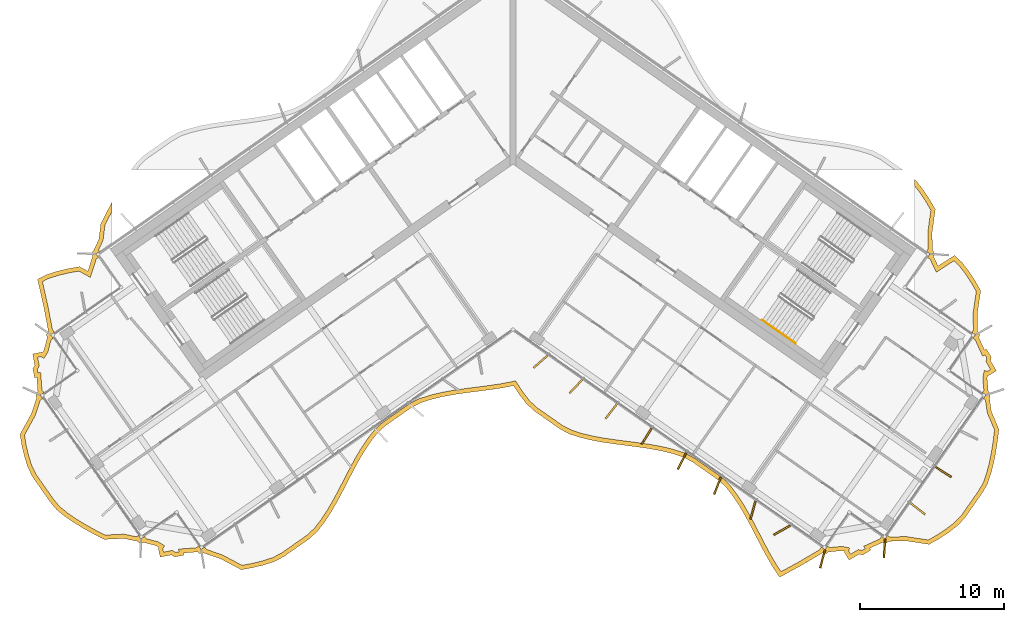
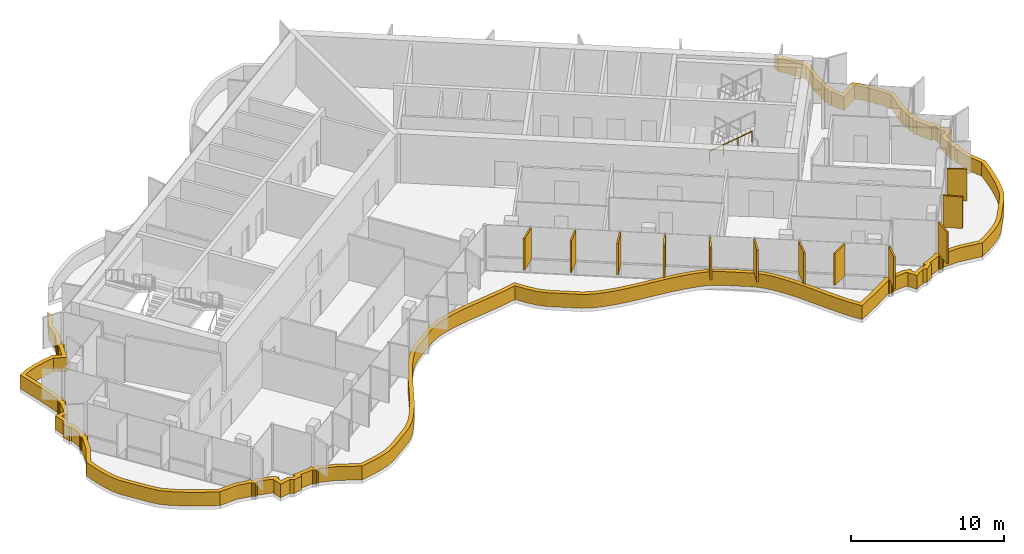
# One storey, part 18 of 20: 13 shading devices, 1 railing.
"""IFC4 building model written with IfcOpenShell, lengths in metres."""

from ifc_helpers import new_model, si_unit, direction, frame, origin, origin_2d, place, context, subcontext, project, spatial, polyline, rectangle, circle, outline, extrude, material, layer, layer_set, type_object, element, save


model = new_model("IFC4")

# Units and contexts
model_context = context("Model", 3, precision=1e-05, world=origin(), true_north=direction((0.0, 1.0)))
body_context = subcontext(model_context, "Body", "Model", "MODEL_VIEW")
ifc_project = project(units=[si_unit("LENGTHUNIT", "METRE"), si_unit("AREAUNIT", "SQUARE_METRE"), si_unit("VOLUMEUNIT", "CUBIC_METRE"), si_unit("PLANEANGLEUNIT", "RADIAN"), si_unit("MASSUNIT", "GRAM", prefix="KILO")], contexts=[model_context])

# Site, building, storey
site_placement = place(None, origin())
site = spatial("IfcSite", under=ifc_project, at=site_placement, CompositionType="ELEMENT")
building_placement = place(site_placement, origin())
building = spatial("IfcBuilding", under=site, at=building_placement, Name="Tel Ilan Convention Tower", CompositionType="ELEMENT")
storey_placement = place(building_placement, frame((0.0, 0.0, 244.89990234375)))
storey = spatial("IfcBuildingStorey", under=building, at=storey_placement, Name="L57", CompositionType="ELEMENT", Elevation=244.89990234375)

# Shading devices
ifc_material_1 = material(Name="Aluminium, bronze anodised", Category="aluminium")
ifc_layer_1 = layer(ifc_material_1, 0.1201171875)
ifc_layer_set_1 = layer_set([ifc_layer_1], Name="FIN BRONZE 1300x120")
shading_device_type_1 = type_object("IfcShadingDeviceType", Name="FIN BRONZE 1300x120", PredefinedType="USERDEFINED", material=ifc_layer_set_1)
for number, where, z_axis, x_axis, name in (
    (1, (1.909423828125, -14.9423828125, 1.10009765625), (0.0, 0.0, 1.0), (-0.753435896329, -0.657521368568, 0.0), "FIN"),
    (2, (4.363525390625, -16.668701171875, 1.10009765625), (0.0, 0.0, 1.0), (-0.686241637865, -0.727373641577, 0.0), "FIN"),
    (3, (6.822021484375, -18.390380859375, 1.10009765625), (0.0, 0.0, 1.0), (-0.612600545196, -0.790392669516, 0.0), "FIN"),
    (4, (9.28076171875, -20.112060546875, 1.10009765625), (0.0, 0.0, 1.0), (-0.533204432798, -0.845986425922, 0.0), "FIN"),
    (5, (11.739501953125, -21.83349609375, 1.10009765625), (0.0, 0.0, 1.0), (-0.448799180206, -0.893632640321, 0.0), "FIN"),
    (6, (14.201171875, -23.549072265625, 1.10009765625), (0.0, 0.0, 1.0), (-0.360177724803, -0.932883704733, 0.0), "FIN"),
    (7, (16.664794921875, -25.259033203125, 1.10009765625), (0.0, 0.0, 1.0), (-0.268172612768, -0.963370878614, 0.0), "FIN"),
    (8, (18.680419921875, -26.647705078125, 1.10009765625), (0.0, 0.0, 1.0), (-0.866025403784, -0.5, 0.0), "FIN"),
    (9, (21.5009765625, -28.640380859375, 1.10009765625), (0.0, 0.0, 1.0), (-0.258819045103, -0.965925826289, 0.0), "FIN"),
    (10, (25.80126953125, -27.913330078125, 1.10009765625), (0.0, 0.0, 1.0), (-0.067821812994, -0.997697449973, 0.0), "FIN"),
    (11, (28.108154296875, -25.15234375, 1.10009765625), (0.0, 0.0, 1.0), (0.790392669516, -0.612600545196, 0.0), "FIN"),
    (12, (29.8935546875, -22.602294921875, 1.10009765625), (0.0, 0.0, 1.0), (0.845986425922, -0.533204432798, 0.0), "FIN"),
):
    element("IfcShadingDevice", number, at=place(storey_placement, frame(where, z_axis=z_axis, x_axis=x_axis)), inside=storey, type_object=shading_device_type_1, Name=name, ObjectType="FIN", PredefinedType="USERDEFINED", context=body_context, shape_type="SweptSolid", body=[
        extrude(rectangle(XDim=1.300048828125, YDim=0.1201171875, at=origin_2d()), origin(), (0.0, 0.0, 1.0), 2.52001953125),
    ])
ifc_material_2 = material(Name="Aluminium, bronze anodised", Category="aluminium")
ifc_layer_2 = layer(ifc_material_2, 0.300048828125)
ifc_layer_set_2 = layer_set([ifc_layer_2], Name="LOUVRE BAND 300x1100")
shading_device_type_2 = type_object("IfcShadingDeviceType", Name="LOUVRE BAND 300x1100", PredefinedType="USERDEFINED", material=ifc_layer_set_2)
shading_device_placement = place(storey_placement, origin())
element("IfcShadingDevice", 13, at=shading_device_placement, inside=storey, type_object=shading_device_type_2, Name="LOUVRE BAND 44.01", ObjectType="LOUVRE", PredefinedType="USERDEFINED", context=body_context, shape_type="SweptSolid", body=[
    extrude(outline(polyline([(-33.47021484375, -18.574462890625), (-34.248779296875, -19.995849609375), (-34.1181640625, -20.780517578125), (-33.940185546875, -21.531982421875), (-33.7158203125, -22.2509765625), (-33.401611328125, -22.906982421875), (-32.166748046875, -24.670654296875), (-31.707763671875, -25.22509765625), (-31.125732421875, -25.69384765625), (-30.49462890625, -26.1279296875), (-29.82373046875, -26.5341796875), (-29.12353515625, -26.920166015625), (-28.398193359375, -27.288330078125), (-27.05419921875, -27.223388671875), (-26.083984375, -27.420166015625), (-26.05517578125, -27.46337890625), (-25.957763671875, -27.5283203125), (-25.843017578125, -27.55126953125), (-25.728271484375, -27.5283203125), (-25.674072265625, -27.492431640625), (-24.7724609375, -27.73388671875), (-24.61669921875, -27.828857421875), (-24.64697265625, -27.878662109375), (-24.51416015625, -28.518310546875), (-23.728759765625, -28.3701171875), (-23.49462890625, -28.5126953125), (-22.855224609375, -28.3798828125), (-22.8828125, -28.233154296875), (-21.90576171875, -28.15673828125), (-21.876953125, -28.2001953125), (-21.779541015625, -28.26513671875), (-21.664794921875, -28.2880859375), (-21.550048828125, -28.26513671875), (-21.49609375, -28.22900390625), (-20.311279296875, -28.64013671875), (-18.883544921875, -29.3984375), (-18.087646484375, -29.25439453125), (-17.32080078125, -29.068359375), (-16.588623046875, -28.833251953125), (-15.931640625, -28.490478515625), (-14.12646484375, -27.226318359375), (-13.582763671875, -26.721923828125), (-13.1123046875, -26.113037109375), (-12.67626953125, -25.454833984375), (-12.267333984375, -24.7578125), (-11.877197265625, -24.033935546875), (-11.11572265625, -22.56005859375), (-10.724853515625, -21.83740234375), (-10.314697265625, -21.142333984375), (-9.877197265625, -20.486572265625), (-9.404541015625, -19.88037109375), (-8.85498046875, -19.384765625), (-7.049560546875, -18.12060546875), (-6.386474609375, -17.78662109375), (-5.65234375, -17.55419921875), (-4.884033203125, -17.370849609375), (-4.088623046875, -17.225830078125), (-3.274658203125, -17.107421875), (-1.629150390625, -16.895751953125), (-0.816650390625, -16.775146484375), (0.033203125, -16.6123046875), (0.470458984375, -17.269775390625), (0.94189453125, -17.877197265625), (1.488525390625, -18.377197265625), (3.2939453125, -19.641357421875), (3.953857421875, -19.979736328125), (4.68701171875, -20.213623046875), (5.45458984375, -20.398193359375), (6.24951171875, -20.5439453125), (7.06298828125, -20.6630859375), (8.70849609375, -20.87451171875), (9.521240234375, -20.99462890625), (10.314697265625, -21.142333984375), (11.080810546875, -21.329345703125), (11.811767578125, -21.56591796875), (12.4658203125, -21.912841796875), (14.27099609375, -23.177001953125), (14.811767578125, -23.685791015625), (15.28125, -24.29638671875), (15.71630859375, -24.95556640625), (16.12451171875, -25.653564453125), (16.51416015625, -26.3779296875), (17.27587890625, -27.851806640625), (17.6669921875, -28.573974609375), (18.077880859375, -29.26806640625), (18.5185546875, -29.91943359375), (19.969482421875, -29.128173828125), (21.49609375, -28.22900390625), (21.550048828125, -28.26513671875), (21.664794921875, -28.2880859375), (21.779541015625, -28.26513671875), (21.876953125, -28.2001953125), (21.90576171875, -28.15673828125), (22.8359375, -28.075439453125), (23.0146484375, -28.111328125), (23.003173828125, -28.168701171875), (23.3466796875, -28.72412109375), (24.0341796875, -28.316162109375), (24.302734375, -28.370361328125), (24.8583984375, -28.02685546875), (24.7822265625, -27.8984375), (25.674072265625, -27.492431640625), (25.728271484375, -27.5283203125), (25.843017578125, -27.55126953125), (25.957763671875, -27.5283203125), (26.05517578125, -27.46337890625), (26.083984375, -27.420166015625), (27.2958984375, -27.392578125), (28.897705078125, -27.637939453125), (29.59033203125, -27.246826171875), (30.235595703125, -26.82275390625), (30.83447265625, -26.365966796875), (31.343505859375, -25.846435546875), (32.578369140625, -24.082763671875), (32.942626953125, -23.461669921875), (33.183837890625, -22.75439453125), (33.376220703125, -22.012939453125), (33.5283203125, -21.243408203125), (33.6513671875, -20.45361328125), (33.749267578125, -19.64599609375), (33.228759765625, -18.405517578125), (33.081787109375, -17.426513671875), (33.11767578125, -17.372314453125), (33.140625, -17.257568359375), (33.11767578125, -17.142822265625), (33.052734375, -17.04541015625), (33.009521484375, -17.0166015625), (32.92822265625, -16.086669921875), (32.964111328125, -15.90771484375), (33.021240234375, -15.919189453125), (33.57666015625, -15.57568359375), (33.1689453125, -14.88818359375), (33.222900390625, -14.61962890625), (32.87939453125, -14.06396484375), (32.7509765625, -14.14013671875), (32.344970703125, -13.248291015625), (32.381103515625, -13.1943359375), (32.40380859375, -13.079345703125), (32.381103515625, -12.964599609375), (32.31591796875, -12.8671875), (32.272705078125, -12.83837890625), (32.248779296875, -11.6083984375), (32.485595703125, -10.006103515625), (32.0869140625, -9.3115234375), (31.6572265625, -8.661376953125), (31.194091796875, -8.05859375), (30.656494140625, -7.5625), (29.52001953125, -8.2939453125), (29.199951171875, -7.6279296875), (29.236083984375, -7.57373046875), (29.2587890625, -7.458984375), (29.236083984375, -7.34423828125), (29.1708984375, -7.246826171875), (29.127685546875, -7.218017578125), (29.10986328125, -5.95947265625), (29.331298828125, -4.35888671875), (28.922119140625, -3.659423828125), (28.48388671875, -3.001220703125), (28.0107421875, -2.392822265625), (27.874755859375, -2.269287109375), (27.874755859375, -2.70654296875), (28.240234375, -3.176513671875), (28.66748046875, -3.818359375), (29.02001953125, -4.420654296875), (28.809326171875, -5.941162109375), (28.829345703125, -7.12109375), (28.713134765625, -7.286865234375), (28.958740234375, -7.458984375), (28.787353515625, -7.705322265625), (28.9677734375, -7.83154296875), (29.395751953125, -8.730712890625), (30.62353515625, -7.9404296875), (30.971923828125, -8.26171875), (31.412841796875, -8.83544921875), (31.83154296875, -9.46923828125), (32.173583984375, -10.065185546875), (31.948486328125, -11.589599609375), (31.973876953125, -12.7421875), (31.858154296875, -12.9072265625), (32.103759765625, -13.079345703125), (31.932373046875, -13.32568359375), (32.110107421875, -13.449951171875), (32.615478515625, -14.5693359375), (32.779052734375, -14.472412109375), (32.905517578125, -14.676513671875), (32.85205078125, -14.942138671875), (33.16845703125, -15.475341796875), (32.964111328125, -15.6015625), (32.72900390625, -15.554443359375), (32.62548828125, -16.0703125), (32.703857421875, -16.9296875), (32.594970703125, -17.08544921875), (32.840576171875, -17.257568359375), (32.669189453125, -17.50390625), (32.80810546875, -17.60107421875), (32.937255859375, -18.486328125), (33.44189453125, -19.68896484375), (33.354248046875, -20.412353515625), (33.23291015625, -21.191162109375), (33.08349609375, -21.9462890625), (32.896240234375, -22.668212890625), (32.66845703125, -23.3359375), (32.32568359375, -23.920654296875), (31.112060546875, -25.654052734375), (30.63525390625, -26.140625), (30.06201171875, -26.577880859375), (29.43408203125, -26.99072265625), (28.840576171875, -27.32568359375), (27.31494140625, -27.091796875), (26.179931640625, -27.120849609375), (26.01513671875, -27.005615234375), (25.843017578125, -27.251220703125), (25.5966796875, -27.079833984375), (25.472412109375, -27.257568359375), (24.35302734375, -27.762939453125), (24.4501953125, -27.926513671875), (24.245849609375, -28.052734375), (23.980224609375, -27.99951171875), (23.447021484375, -28.31591796875), (23.32080078125, -28.111572265625), (23.367919921875, -27.87646484375), (22.85205078125, -27.772705078125), (21.99267578125, -27.851318359375), (21.8369140625, -27.7421875), (21.664794921875, -27.988037109375), (21.418701171875, -27.816650390625), (21.284423828125, -28.008056640625), (19.82177734375, -28.866943359375), (18.6142578125, -29.525634765625), (18.331298828125, -29.107666015625), (17.92822265625, -28.426025390625), (17.541015625, -27.71142578125), (16.779541015625, -26.238037109375), (16.38623046875, -25.506591796875), (15.97119140625, -24.797119140625), (15.525634765625, -24.1220703125), (15.034912109375, -23.48388671875), (14.4609375, -22.94384765625), (12.62255859375, -21.656494140625), (11.92919921875, -21.288818359375), (11.16259765625, -21.04052734375), (10.3779296875, -20.848876953125), (9.570556640625, -20.69873046875), (8.749755859375, -20.577392578125), (7.103759765625, -20.36572265625), (6.29833984375, -20.248046875), (5.516845703125, -20.1044921875), (4.767822265625, -19.924560546875), (4.068603515625, -19.701416015625), (3.44921875, -19.3837890625), (1.6767578125, -18.142822265625), (1.163330078125, -17.673095703125), (0.714111328125, -17.094482421875), (0.165771484375, -16.269775390625), (-0.087890625, -16.33349609375), (-0.866455078125, -16.479248046875), (-1.67041015625, -16.5986328125), (-3.315185546875, -16.81005859375), (-4.136962890625, -16.9296875), (-4.945556640625, -17.0771484375), (-5.732666015625, -17.264892578125), (-6.5, -17.5078125), (-7.203857421875, -17.8623046875), (-9.042236328125, -19.1494140625), (-9.625, -19.67529296875), (-10.12060546875, -20.310791015625), (-10.56884765625, -20.982666015625), (-10.986083984375, -21.68994140625), (-11.380859375, -22.419677734375), (-12.142578125, -23.89404296875), (-12.529052734375, -24.61083984375), (-12.930908203125, -25.2958984375), (-13.356201171875, -25.938232421875), (-13.804931640625, -26.518798828125), (-14.315185546875, -26.992431640625), (-16.087890625, -28.233642578125), (-16.704833984375, -28.555419921875), (-17.402099609375, -28.779541015625), (-18.149658203125, -28.960693359375), (-18.83447265625, -29.084716796875), (-20.19140625, -28.3642578125), (-21.302978515625, -27.981689453125), (-21.418701171875, -27.816650390625), (-21.664794921875, -27.988037109375), (-21.8369140625, -27.7421875), (-22.01513671875, -27.8671875), (-23.239990234375, -27.959228515625), (-23.20458984375, -28.14599609375), (-23.439697265625, -28.19482421875), (-23.671142578125, -28.053955078125), (-24.2802734375, -28.1689453125), (-24.3291015625, -27.933837890625), (-24.204345703125, -27.72900390625), (-24.65380859375, -27.455078125), (-25.48828125, -27.23486328125), (-25.5966796875, -27.079833984375), (-25.843017578125, -27.251220703125), (-26.01513671875, -27.005615234375), (-26.15478515625, -27.103271484375), (-27.03076171875, -26.921875), (-28.333251953125, -26.98486328125), (-28.983154296875, -26.65478515625), (-29.673583984375, -26.2744140625), (-30.331787109375, -25.8759765625), (-30.946533203125, -25.453125), (-31.495849609375, -25.010498046875), (-31.927978515625, -24.488525390625), (-33.141845703125, -22.755126953125), (-33.43603515625, -22.140869140625), (-33.650634765625, -21.45263671875), (-33.823974609375, -20.72119140625), (-33.935791015625, -20.048828125), (-33.1943359375, -18.6953125), (-32.833251953125, -17.61865234375), (-32.669189453125, -17.50390625), (-32.840576171875, -17.257568359375), (-32.594970703125, -17.08544921875), (-32.7197265625, -16.9072265625), (-32.811767578125, -15.6826171875), (-32.998779296875, -15.7177734375), (-33.047607421875, -15.482666015625), (-32.906494140625, -15.251220703125), (-33.021484375, -14.64208984375), (-32.786376953125, -14.59326171875), (-32.58154296875, -14.718017578125), (-32.3076171875, -14.268798828125), (-32.087646484375, -13.434326171875), (-31.932373046875, -13.32568359375), (-32.103759765625, -13.079345703125), (-31.858154296875, -12.9072265625), (-31.993408203125, -12.714111328125), (-32.314697265625, -11.033447265625), (-32.68798828125, -9.385986328125), (-32.26708984375, -9.168701171875), (-31.5771484375, -8.950439453125), (-30.838623046875, -8.77392578125), (-30.161376953125, -8.65625), (-29.363525390625, -9.087646484375), (-28.950439453125, -7.8193359375), (-28.787353515625, -7.705322265625), (-28.958740234375, -7.458984375), (-28.713134765625, -7.286865234375), (-28.785888671875, -7.182861328125), (-28.480224609375, -6.525634765625), (-28.343994140625, -5.44384765625), (-27.874755859375, -4.536376953125), (-27.874755859375, -3.881103515625), (-28.635009765625, -5.353271484375), (-28.772216796875, -6.441650390625), (-29.127685546875, -7.218017578125), (-29.1708984375, -7.246826171875), (-29.236083984375, -7.34423828125), (-29.2587890625, -7.458984375), (-29.236083984375, -7.57373046875), (-29.199951171875, -7.6279296875), (-29.537353515625, -8.652587890625), (-30.110107421875, -8.3427734375), (-30.899169921875, -8.47998046875), (-31.6572265625, -8.661376953125), (-32.3818359375, -8.890380859375), (-33.031982421875, -9.225830078125), (-32.6083984375, -11.094970703125), (-32.272705078125, -12.83837890625), (-32.31591796875, -12.8671875), (-32.381103515625, -12.964599609375), (-32.40380859375, -13.079345703125), (-32.381103515625, -13.1943359375), (-32.344970703125, -13.248291015625), (-32.586669921875, -14.14990234375), (-32.681640625, -14.3056640625), (-32.7314453125, -14.275390625), (-33.370849609375, -14.408203125), (-33.22265625, -15.193603515625), (-33.365478515625, -15.427734375), (-33.232666015625, -16.067138671875), (-33.0859375, -16.03955078125), (-33.009521484375, -17.0166015625), (-33.052734375, -17.04541015625), (-33.11767578125, -17.142822265625), (-33.140625, -17.257568359375), (-33.11767578125, -17.372314453125), (-33.081787109375, -17.426513671875), (-33.47021484375, -18.574462890625)])), origin(), (0.0, 0.0, 1.0), 1.10009765625),
])

# Railing
ifc_material_3 = material(Name="Stainless Steel Grade 316", Category="steel")
railing_type = type_object("IfcRailingType", Name="Stainless Steel Stair Handrail 900 mm", PredefinedType="HANDRAIL", material=ifc_material_3)
railing_placement = place(storey_placement, frame((17.312744140625, -12.0615234375, 2.12744140625)))
element("IfcRailing", 14, at=railing_placement, inside=storey, type_object=railing_type, Name="L57 S4 stair handrail 2", PredefinedType="HANDRAIL", context=body_context, shape_type="SweptSolid", body=[
    extrude(circle(Radius=0.02392578125, at=origin_2d()), frame((0.0, 0.0, 0.8759765625), z_axis=(0.692123088272, -0.484596665743, 0.534912798717), x_axis=(0.573550118428, 0.819170471667, 0.0)), (0.0, 0.0, 1.0), 3.31396484375),
    extrude(circle(Radius=0.02099609375, at=origin_2d()), origin(), (0.0, 0.0, 1.0), 0.851806640625),
    extrude(circle(Radius=0.02099609375, at=origin_2d()), frame((0.7646484375, -0.535400390625, 0.5908203125)), (0.0, 0.0, 1.0), 0.851806640625),
    extrude(circle(Radius=0.02099609375, at=origin_2d()), frame((1.529052734375, -1.070556640625, 1.181884765625)), (0.0, 0.0, 1.0), 0.851806640625),
    extrude(circle(Radius=0.02099609375, at=origin_2d()), frame((2.293701171875, -1.60595703125, 1.772705078125)), (0.0, 0.0, 1.0), 0.851806640625),
])

save(model, "model.ifc")
